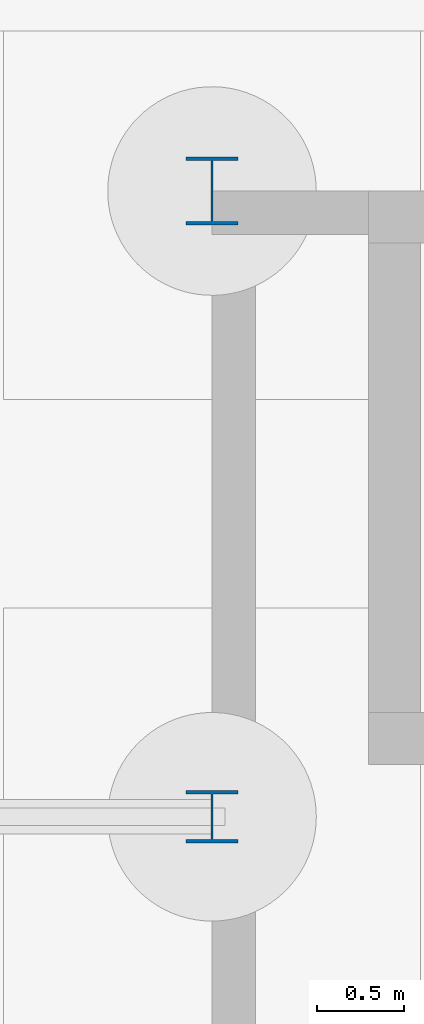
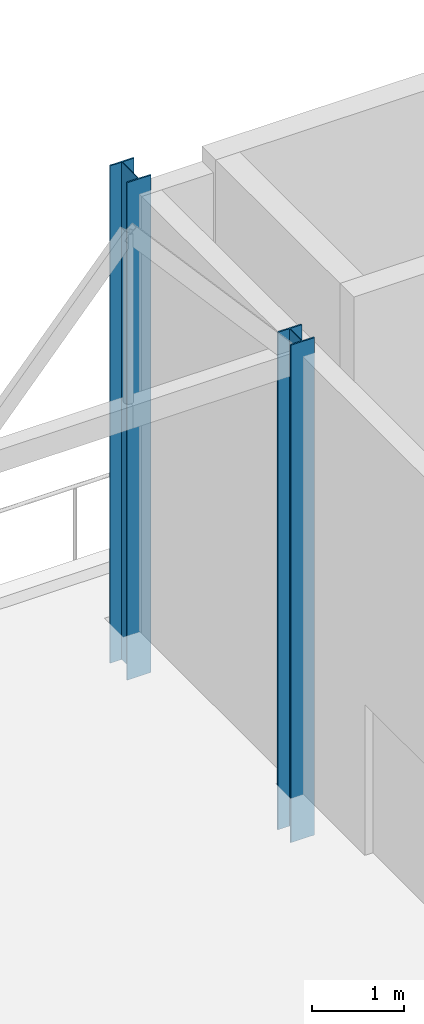
# One storey, part 23 of 212: 2 columns.
"""IFC4 building model written with IfcOpenShell, lengths in metres."""

from ifc_helpers import new_model, si_unit, direction, frame, origin, origin_2d, place, context, subcontext, project, spatial, i_section, extrude, material, material_profile, profile_set, type_object, element, save


model = new_model("IFC4")

# Units and contexts
model_context = context("Model", 3, precision=1e-05, world=origin(), true_north=direction((0.0, 1.0)))
body_context = subcontext(model_context, "Body", "Model", "MODEL_VIEW")
ifc_project = project(units=[si_unit("LENGTHUNIT", "METRE"), si_unit("AREAUNIT", "SQUARE_METRE"), si_unit("VOLUMEUNIT", "CUBIC_METRE"), si_unit("PLANEANGLEUNIT", "RADIAN"), si_unit("MASSUNIT", "GRAM", prefix="KILO")], contexts=[model_context])

# Site, building, storey
site_placement = place(None, origin())
site = spatial("IfcSite", under=ifc_project, at=site_placement, CompositionType="ELEMENT")
building_placement = place(site_placement, origin())
building = spatial("IfcBuilding", under=site, at=building_placement, Name="Catenary Quay Ferry Terminal", CompositionType="ELEMENT")
storey_placement = place(building_placement, origin())
storey = spatial("IfcBuildingStorey", under=building, at=storey_placement, Name="L00", CompositionType="ELEMENT", Elevation=0.0)

# Columns
ifc_material_1 = material(Name="Steel S355", Category="steel")
ifc_material_profile_1 = material_profile(ifc_material_1, i_section(OverallWidth=0.300048828125, OverallDepth=0.389892578125, WebThickness=0.010986328125, FlangeThickness=0.01904296875, at=origin_2d()), Name="HEA 400")
ifc_profile_set_1 = profile_set([ifc_material_profile_1], Name="Steel S355")
column_type_1 = type_object("IfcColumnType", Name="C7 HEA 400", PredefinedType="COLUMN", material=ifc_profile_set_1)
column_1_placement = place(storey_placement, frame((126.0, 98.39990234375, -0.60009765625), z_axis=(0.0, 0.0, 1.0), x_axis=(1.0, 0.0, 0.0)))
element("IfcColumn", 1, at=column_1_placement, inside=storey, type_object=column_type_1, Name="Column C-BH2P4 L00", PredefinedType="COLUMN", context=body_context, shape_type="SweptSolid", body=[
    extrude(i_section(OverallWidth=0.300048828125, OverallDepth=0.389892578125, WebThickness=0.010986328125, FlangeThickness=0.01904296875, at=origin_2d()), origin(), (0.0, 0.0, 1.0), 6.60009765625),
])
ifc_material_2 = material(Name="Steel S355", Category="steel")
ifc_material_profile_2 = material_profile(ifc_material_2, i_section(OverallWidth=0.300048828125, OverallDepth=0.300048828125, WebThickness=0.010986328125, FlangeThickness=0.01904296875, at=origin_2d()), Name="HEB 300")
ifc_profile_set_2 = profile_set([ifc_material_profile_2], Name="Steel S355")
column_type_2 = type_object("IfcColumnType", Name="C8 HEB 300", PredefinedType="COLUMN", material=ifc_profile_set_2)
column_2_placement = place(storey_placement, frame((126.0, 94.800048828125, -0.60009765625), z_axis=(0.0, 0.0, 1.0), x_axis=(1.0, 0.0, 0.0)))
element("IfcColumn", 2, at=column_2_placement, inside=storey, type_object=column_type_2, Name="Column C-BH2P3 L00", PredefinedType="COLUMN", context=body_context, shape_type="SweptSolid", body=[
    extrude(i_section(OverallWidth=0.300048828125, OverallDepth=0.300048828125, WebThickness=0.010986328125, FlangeThickness=0.01904296875, at=origin_2d()), origin(), (0.0, 0.0, 1.0), 6.60009765625),
])

save(model, "model.ifc")
